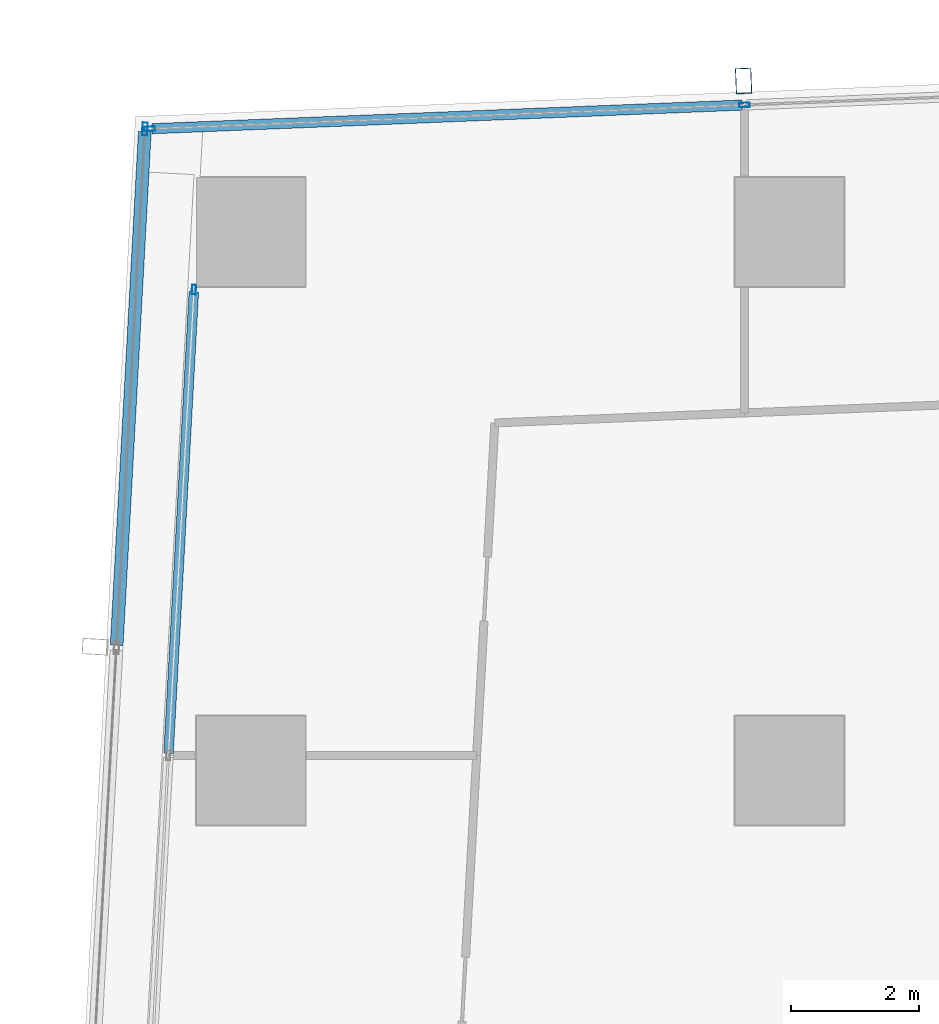
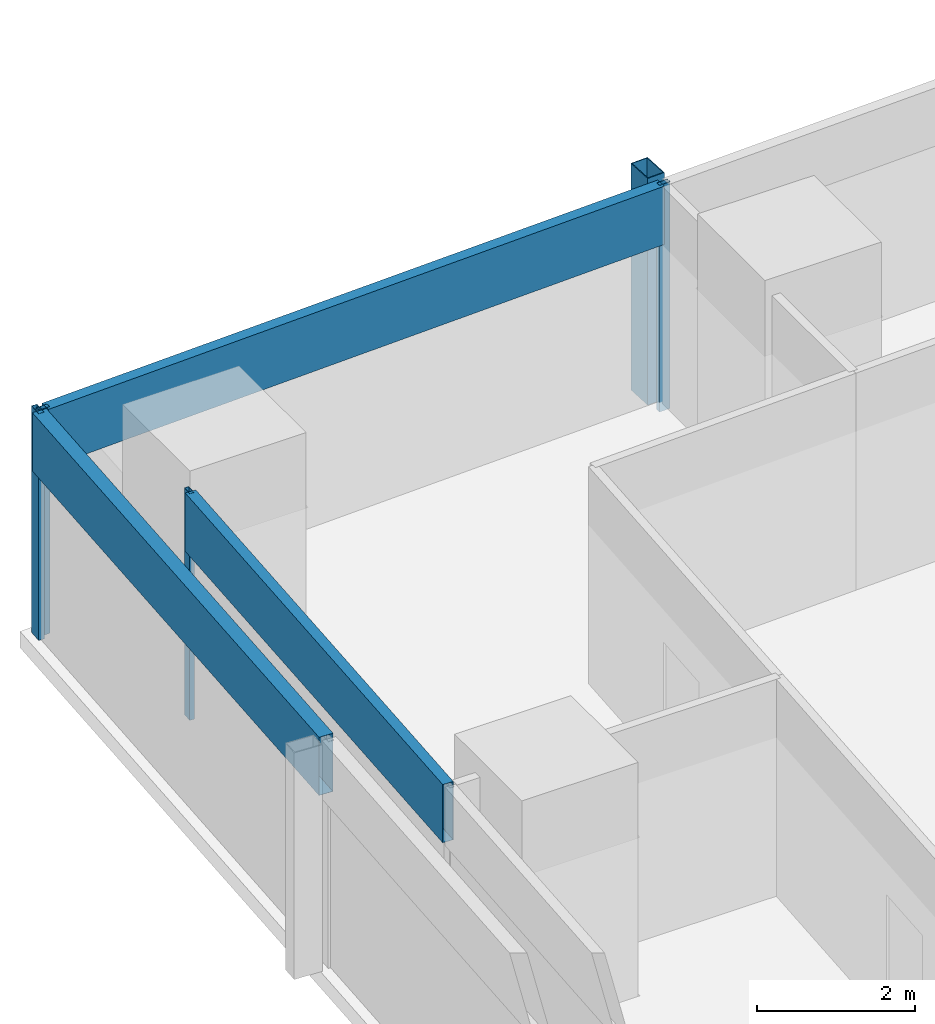
# One storey, part 13 of 38: 8 members, 3 elements without a shape of their own.
"""IFC4 building model written with IfcOpenShell, lengths in metres."""

import ifcopenshell
import ifcopenshell.guid

model = None  # the IFC model being written
_history = None  # IfcOwnerHistory: only IFC2X3 demands one
_inside = {}  # id of a spatial element -> (the spatial element, [elements in it])
_under = {}  # id of a project, library or spatial element -> (it, [spatial elements below it])
_declared = {}  # id of a project -> (the project, [libraries it declares])
_typed = {}  # id of a type object -> (the type object, [elements of that type])
_made_of = {}  # id of a material, layer set ... -> (it, [elements and type objects made of it])


def new_model(schema):
    """Start an empty IFC model of exactly this schema.

    Asked for "IFC4X3", IfcOpenShell would pick the latest addendum, in which some entities
    have other attributes; the version numbers below select the first issue.
    IFC2X3 requires an IfcOwnerHistory on every rooted entity: one is made here for all.
    """
    global model, _history
    if schema == "IFC4X3":
        model = ifcopenshell.file(schema_version=(4, 3, 0, 0))
    else:
        model = ifcopenshell.file(schema=schema)
    _inside.clear()
    _under.clear()
    _declared.clear()
    _typed.clear()
    _made_of.clear()
    _history = None
    if model.schema == "IFC2X3":
        org = make("IfcOrganization", Name="unknown")
        user = make(
            "IfcPersonAndOrganization",
            ThePerson=make("IfcPerson", FamilyName="unknown"),
            TheOrganization=org,
        )
        app = make(
            "IfcApplication",
            ApplicationDeveloper=org,
            Version="unknown",
            ApplicationFullName="unknown",
            ApplicationIdentifier="unknown",
        )
        _history = make(
            "IfcOwnerHistory",
            OwningUser=user,
            OwningApplication=app,
            ChangeAction="ADDED",
            CreationDate=0,
        )
    return model


def make(cls, **values):
    """One entity of the class cls with the attributes given. An attribute that is None is left unset."""
    return model.create_entity(
        cls, **{name: value for name, value in values.items() if value is not None}
    )


def rooted(cls, **values):
    """An entity with a GlobalId (a new one), such as an element, a storey or a relation."""
    return make(cls, GlobalId=ifcopenshell.guid.new(), OwnerHistory=_history, **values)


def si_unit(unit_type, name, prefix=None):
    """IfcSIUnit, for example si_unit("LENGTHUNIT", "METRE", prefix="MILLI")."""
    return make("IfcSIUnit", UnitType=unit_type, Prefix=prefix, Name=name)


def assignment(units):
    """IfcUnitAssignment: the units of a project."""
    return None if units is None else make("IfcUnitAssignment", Units=units)


def point(xyz):
    """IfcCartesianPoint."""
    return None if xyz is None else make("IfcCartesianPoint", Coordinates=xyz)


def direction(xyz):
    """IfcDirection."""
    return None if xyz is None else make("IfcDirection", DirectionRatios=xyz)


def frame(location, z_axis=None, x_axis=None):
    """IfcAxis2Placement3D, a coordinate frame: its origin and axes. An axis left out is left unset."""
    return make(
        "IfcAxis2Placement3D",
        Location=point(location),
        Axis=direction(z_axis),
        RefDirection=direction(x_axis),
    )


def frame_2d(location, x_axis=None):
    """IfcAxis2Placement2D, a coordinate frame in the plane: its origin and x axis."""
    return make(
        "IfcAxis2Placement2D", Location=point(location), RefDirection=direction(x_axis)
    )


def origin():
    """The frame at (0, 0, 0) with its axes left unset."""
    return frame((0.0, 0.0, 0.0))


def origin_2d():
    """The frame at (0, 0) in the plane with its x axis left unset."""
    return frame_2d((0.0, 0.0))


def place(relative_to, where):
    """IfcLocalPlacement: puts the frame where relative to a parent placement (None: the world)."""
    return make(
        "IfcLocalPlacement", PlacementRelTo=relative_to, RelativePlacement=where
    )


def context(
    kind, dimensions, precision=None, world=None, true_north=None, identifier=None
):
    """IfcGeometricRepresentationContext, for example the 3D "Model" context."""
    return make(
        "IfcGeometricRepresentationContext",
        ContextIdentifier=identifier,
        ContextType=kind,
        CoordinateSpaceDimension=dimensions,
        Precision=precision,
        WorldCoordinateSystem=world,
        TrueNorth=true_north,
    )


def subcontext(parent, identifier, kind, view, scale=None):
    """IfcGeometricRepresentationSubContext, for example "Body" below "Model"."""
    return make(
        "IfcGeometricRepresentationSubContext",
        ContextIdentifier=identifier,
        ContextType=kind,
        ParentContext=parent,
        TargetScale=scale,
        TargetView=view,
    )


def project(units=None, contexts=None):
    """IfcProject with its units and contexts."""
    return rooted(
        "IfcProject",
        Name="project",
        RepresentationContexts=contexts,
        UnitsInContext=assignment(units),
    )


def spatial(cls, under=None, at=None, **own):
    """A site, building, storey or space (cls), placed at a placement, below another one or the project."""
    s = rooted(cls, ObjectPlacement=at, **own)
    if under is not None:
        _under.setdefault(under.id(), (under, []))[1].append(s)
    return s


def profile(cls, at=None, kind="AREA", **sizes):
    """A parametric profile (cls). Its sizes go by their IFC names, for example OverallWidth=200.0."""
    return make(cls, ProfileType=kind, Position=at, **sizes)


def hollow_rectangle(**sizes):
    """IfcRectangleHollowProfileDef."""
    return profile("IfcRectangleHollowProfileDef", **sizes)


def extrude(swept, where, along, depth):
    """IfcExtrudedAreaSolid: the profile swept, set in the frame where, extruded along a direction by depth."""
    return make(
        "IfcExtrudedAreaSolid",
        SweptArea=swept,
        Position=where,
        ExtrudedDirection=direction(along),
        Depth=depth,
    )


def shape(context_of_items, identifier, shape_type, items):
    """IfcShapeRepresentation: the items that make up one representation, for example the "Body"."""
    return make(
        "IfcShapeRepresentation",
        ContextOfItems=context_of_items,
        RepresentationIdentifier=identifier,
        RepresentationType=shape_type,
        Items=items,
    )


def material(Name=None, Category=None):
    """IfcMaterial."""
    return make("IfcMaterial", Name=Name, Category=Category)


def material_profile(
    of_material, cross_section, Name=None, Category=None, Priority=None
):
    """IfcMaterialProfile: a cross section and its material."""
    return make(
        "IfcMaterialProfile",
        Name=Name,
        Material=of_material,
        Profile=cross_section,
        Priority=Priority,
        Category=Category,
    )


def profile_set(profiles, Name=None, composite=None):
    """IfcMaterialProfileSet."""
    return make(
        "IfcMaterialProfileSet",
        Name=Name,
        MaterialProfiles=profiles,
        CompositeProfile=composite,
    )


def made_of(thing, what):
    """Note that an element or type object is made of a material, layer set ...; save() writes the relation."""
    if what is not None:
        _made_of.setdefault(what.id(), (what, []))[1].append(thing)
    return thing


def type_object(cls, material=None, **own):
    """A type object (cls), such as IfcWallType, which elements share."""
    return made_of(rooted(cls, **own), material)


def element(
    cls,
    number,
    at=None,
    inside=None,
    cuts=None,
    type_object=None,
    material=None,
    context=None,
    identifier="Body",
    shape_type=None,
    held_by="IfcProductDefinitionShape",
    body=None,
    shapes=None,
    **own,
):
    """One element of the class cls, such as IfcWall. Its Tag is "e" and its number.

    at: its placement. inside: the storey or other place that contains it. cuts: it is an
    opening in that element (IfcRelVoidsElement). A single representation is given by context,
    identifier, shape_type and body (its items); several are given by shapes. held_by: the class
    of the entity that holds the representations. save() writes the other relations.
    """
    e = rooted(cls, Tag="e%d" % number, ObjectPlacement=at, **own)
    if body is not None:
        shapes = [shape(context, identifier, shape_type, body)]
    if shapes is not None:
        e.Representation = make(held_by, Representations=shapes)
    if inside is not None:
        _inside.setdefault(inside.id(), (inside, []))[1].append(e)
    if cuts is not None:
        rooted(
            "IfcRelVoidsElement", RelatingBuildingElement=cuts, RelatedOpeningElement=e
        )
    if type_object is not None:
        _typed.setdefault(type_object.id(), (type_object, []))[1].append(e)
    return made_of(e, material)


def aggregate(whole, parts):
    """IfcRelAggregates: a whole, such as a stair, and the parts it consists of."""
    return rooted("IfcRelAggregates", RelatingObject=whole, RelatedObjects=parts)


def save(model, path):
    """Write the relations noted so far, then the file.

    IfcRelAggregates (storeys below a building ...), IfcRelContainedInSpatialStructure (elements
    in a storey), IfcRelDefinesByType, IfcRelAssociatesMaterial and IfcRelDeclares: one each for
    every whole, place, type object, material and project.
    """
    for whole, parts in _under.values():
        aggregate(whole, parts)
    for where, things in _inside.values():
        rooted(
            "IfcRelContainedInSpatialStructure",
            RelatedElements=things,
            RelatingStructure=where,
        )
    for kind, things in _typed.values():
        rooted("IfcRelDefinesByType", RelatedObjects=things, RelatingType=kind)
    for what, things in _made_of.values():
        rooted("IfcRelAssociatesMaterial", RelatedObjects=things, RelatingMaterial=what)
    for by, libraries in _declared.values():
        rooted("IfcRelDeclares", RelatingContext=by, RelatedDefinitions=libraries)
    model.write(path)


model = new_model("IFC4")

# Units and contexts
model_context = context("Model", 3, precision=1e-05, world=origin(), true_north=direction((0.0, 1.0)))
body_context = subcontext(model_context, "Body", "Model", "MODEL_VIEW")
ifc_project = project(units=[si_unit("LENGTHUNIT", "METRE"), si_unit("AREAUNIT", "SQUARE_METRE"), si_unit("VOLUMEUNIT", "CUBIC_METRE"), si_unit("PLANEANGLEUNIT", "RADIAN"), si_unit("MASSUNIT", "GRAM", prefix="KILO")], contexts=[model_context])

# Site, building, storey
site_placement = place(None, origin())
site = spatial("IfcSite", under=ifc_project, at=site_placement, CompositionType="ELEMENT")
building_placement = place(site_placement, origin())
building = spatial("IfcBuilding", under=site, at=building_placement, Name="Rekha Terrace Tower", CompositionType="ELEMENT")
storey_placement = place(building_placement, frame((0.0, 0.0, 114.050048828125)))
storey = spatial("IfcBuildingStorey", under=building, at=storey_placement, Name="L28", CompositionType="ELEMENT", Elevation=114.050048828125)

# Curtain wall, member
ifc_material_1 = material(Name="Aluminium framing", Category="aluminium")
curtain_wall_type_1 = type_object("IfcCurtainWallType", Name="CW3 north unitised glazing", PredefinedType="USERDEFINED", material=ifc_material_1)
curtain_wall_1_placement = place(storey_placement, origin())
curtain_wall_1 = element("IfcCurtainWall", 1, at=curtain_wall_1_placement, inside=storey, type_object=curtain_wall_type_1, Name="CW3 unitised curtain wall", ObjectType="UNITISED CURTAIN WALL", PredefinedType="USERDEFINED")
ifc_material_2 = material(Name="Steel S355 with fluorocarbon finish", Category="steel")
ifc_material_profile_1 = material_profile(ifc_material_2, hollow_rectangle(XDim=0.25, YDim=0.39990234375, WallThickness=0.012451171875, at=origin_2d()), Name="RHS400x250x12.5")
ifc_profile_set_1 = profile_set([ifc_material_profile_1], Name="Steel S355 with fluorocarbon finish")
member_type_1 = type_object("IfcMemberType", Name="BL1 facade blade RHS 400 x 250", PredefinedType="USERDEFINED", material=ifc_profile_set_1)
member_1_placement = place(storey_placement, frame((16.0869140625, 61.1552734375, 0.0), z_axis=(0.0, 0.0, 1.0), x_axis=(-0.999198382632, -0.040032388711, 0.0)))
member_1 = element("IfcMember", 2, at=member_1_placement, type_object=member_type_1, Name="Facade blade", ObjectType="FACADE BLADE", PredefinedType="USERDEFINED", context=body_context, shape_type="SweptSolid", body=[
    extrude(hollow_rectangle(XDim=0.25, YDim=0.39990234375, WallThickness=0.012451171875, at=origin_2d()), origin(), (0.0, 0.0, 1.0), 3.5),
])

# Curtain wall, members
curtain_wall_type_2 = type_object("IfcCurtainWallType", Name="CW1 double skin inner glazing", PredefinedType="USERDEFINED", material=ifc_material_1)
curtain_wall_2_placement = place(storey_placement, origin())
curtain_wall_2 = element("IfcCurtainWall", 3, at=curtain_wall_2_placement, inside=storey, type_object=curtain_wall_type_2, Name="CW1 double skin inner glazing", ObjectType="DOUBLE SKIN INNER GLAZING", PredefinedType="USERDEFINED")
ifc_material_3 = material(Name="Aluminium mullion section", Category="aluminium")
ifc_material_profile_2 = material_profile(ifc_material_3, hollow_rectangle(XDim=0.06494140625, YDim=0.14990234375, WallThickness=0.00390625, at=origin_2d()), Name="AL RHS 65x150")
ifc_profile_set_2 = profile_set([ifc_material_profile_2], Name="Aluminium mullion section")
member_type_2 = type_object("IfcMemberType", Name="CW1 mullion RHS 65 x 150", PredefinedType="MULLION", material=ifc_profile_set_2)
member_2_placement = place(storey_placement, frame((7.513427734375, 57.8994140625, 0.0), z_axis=(0.0, 0.0, 1.0), x_axis=(0.998500513181, -0.05474235269, 0.0)))
member_2 = element("IfcMember", 4, at=member_2_placement, type_object=member_type_2, Name="CW1 mullion 1", PredefinedType="MULLION", context=body_context, shape_type="SweptSolid", body=[
    extrude(hollow_rectangle(XDim=0.06494140625, YDim=0.14990234375, WallThickness=0.00390625, at=origin_2d()), origin(), (0.0, 0.0, 1.0), 3.5),
])
ifc_material_4 = material(Name="Insulated aluminium spandrel box", Category="aluminium")
ifc_material_profile_3 = material_profile(ifc_material_4, hollow_rectangle(XDim=0.14990234375, YDim=0.89990234375, WallThickness=0.0029296875, at=origin_2d()), Name="AL SPANDREL BOX 150x900")
ifc_profile_set_3 = profile_set([ifc_material_profile_3], Name="Insulated aluminium spandrel box")
member_type_3 = type_object("IfcMemberType", Name="CW1 spandrel transom 150 x 900", PredefinedType="USERDEFINED", material=ifc_profile_set_3)
member_3_placement = place(storey_placement, frame((7.51171875, 57.866943359375, 3.050048828125), z_axis=(-0.054721696308, -0.998501645443, 0.0), x_axis=(0.998501645443, -0.054721696308, 0.0)))
member_3 = element("IfcMember", 5, at=member_3_placement, type_object=member_type_3, Name="CW1 spandrel transom 1", ObjectType="TRANSOM", PredefinedType="USERDEFINED", context=body_context, shape_type="SweptSolid", body=[
    extrude(hollow_rectangle(XDim=0.14990234375, YDim=0.89990234375, WallThickness=0.0029296875, at=origin_2d()), origin(), (0.0, 0.0, 1.0), 7.209716796875),
])
aggregate(curtain_wall_2, [member_2, member_3])

curtain_wall_type_3 = type_object("IfcCurtainWallType", Name="CW2 double skin outer glazing", PredefinedType="USERDEFINED", material=ifc_material_1)
curtain_wall_3_placement = place(storey_placement, origin())
curtain_wall_3 = element("IfcCurtainWall", 6, at=curtain_wall_3_placement, inside=storey, type_object=curtain_wall_type_3, Name="CW2 double skin outer glazing", ObjectType="DOUBLE SKIN OUTER GLAZING", PredefinedType="USERDEFINED")
ifc_material_profile_4 = material_profile(ifc_material_3, hollow_rectangle(XDim=0.080078125, YDim=0.199951171875, WallThickness=0.00390625, at=origin_2d()), Name="AL RHS 80x200")
ifc_profile_set_4 = profile_set([ifc_material_profile_4], Name="Aluminium mullion section")
member_type_4 = type_object("IfcMemberType", Name="CW2 mullion RHS 80 x 200", PredefinedType="MULLION", material=ifc_profile_set_4)
member_4_placement = place(storey_placement, frame((6.74951171875, 60.406005859375, 0.0), z_axis=(0.0, 0.0, 1.0), x_axis=(0.99850051318, -0.054742352707, 0.0)))
member_4 = element("IfcMember", 7, at=member_4_placement, type_object=member_type_4, Name="CW2 mullion 1", PredefinedType="MULLION", context=body_context, shape_type="SweptSolid", body=[
    extrude(hollow_rectangle(XDim=0.080078125, YDim=0.199951171875, WallThickness=0.00390625, at=origin_2d()), origin(), (0.0, 0.0, 1.0), 3.5),
])
ifc_material_profile_5 = material_profile(ifc_material_4, hollow_rectangle(XDim=0.199951171875, YDim=0.89990234375, WallThickness=0.0029296875, at=origin_2d()), Name="AL SPANDREL BOX 200x900")
ifc_profile_set_5 = profile_set([ifc_material_profile_5], Name="Insulated aluminium spandrel box")
member_type_5 = type_object("IfcMemberType", Name="CW2 spandrel transom 200 x 900", PredefinedType="USERDEFINED", material=ifc_profile_set_5)
member_5_placement = place(storey_placement, frame((6.747314453125, 60.365966796875, 3.050048828125), z_axis=(-0.054720339778, -0.998501719785, 0.0), x_axis=(0.998501719785, -0.054720339778, 0.0)))
member_5 = element("IfcMember", 8, at=member_5_placement, type_object=member_type_5, Name="CW2 spandrel transom 1", ObjectType="TRANSOM", PredefinedType="USERDEFINED", context=body_context, shape_type="SweptSolid", body=[
    extrude(hollow_rectangle(XDim=0.199951171875, YDim=0.89990234375, WallThickness=0.0029296875, at=origin_2d()), origin(), (0.0, 0.0, 1.0), 8.0263671875),
])
aggregate(curtain_wall_3, [member_4, member_5])

# Member
ifc_material_profile_6 = material_profile(ifc_material_3, hollow_rectangle(XDim=0.070068359375, YDim=0.159912109375, WallThickness=0.00390625, at=origin_2d()), Name="AL RHS 70x160")
ifc_profile_set_6 = profile_set([ifc_material_profile_6], Name="Aluminium mullion section")
member_type_6 = type_object("IfcMemberType", Name="CW3 mullion RHS 70 x 160", PredefinedType="MULLION", material=ifc_profile_set_6)
member_6_placement = place(storey_placement, frame((16.101806640625, 60.780517578125, 0.0), z_axis=(0.0, 0.0, 1.0), x_axis=(0.040031987119, -0.999198398721, 0.0)))
member_6 = element("IfcMember", 9, at=member_6_placement, type_object=member_type_6, Name="CW3 mullion 4", PredefinedType="MULLION", context=body_context, shape_type="SweptSolid", body=[
    extrude(hollow_rectangle(XDim=0.070068359375, YDim=0.159912109375, WallThickness=0.00390625, at=origin_2d()), origin(), (0.0, 0.0, 1.0), 3.5),
])

member_7_placement = place(storey_placement, frame((6.82470703125, 60.408935546875, 0.0), z_axis=(0.0, 0.0, 1.0), x_axis=(0.040031987119, -0.999198398721, 0.0)))
member_7 = element("IfcMember", 10, at=member_7_placement, type_object=member_type_6, Name="CW3 mullion 5", PredefinedType="MULLION", context=body_context, shape_type="SweptSolid", body=[
    extrude(hollow_rectangle(XDim=0.070068359375, YDim=0.159912109375, WallThickness=0.00390625, at=origin_2d()), origin(), (0.0, 0.0, 1.0), 3.5),
])

ifc_material_profile_7 = material_profile(ifc_material_4, hollow_rectangle(XDim=0.159912109375, YDim=0.89990234375, WallThickness=0.0029296875, at=origin_2d()), Name="AL SPANDREL BOX 160x900")
ifc_profile_set_7 = profile_set([ifc_material_profile_7], Name="Insulated aluminium spandrel box")
member_type_7 = type_object("IfcMemberType", Name="CW3 spandrel transom 160 x 900", PredefinedType="USERDEFINED", material=ifc_profile_set_7)
member_8_placement = place(storey_placement, frame((16.06689453125, 60.779052734375, 3.050048828125), z_axis=(-0.999198332483, -0.040033640399, 0.0), x_axis=(0.040033640399, -0.999198332483, 0.0)))
member_8 = element("IfcMember", 11, at=member_8_placement, type_object=member_type_7, Name="CW3 spandrel transom 4", ObjectType="TRANSOM", PredefinedType="USERDEFINED", context=body_context, shape_type="SweptSolid", body=[
    extrude(hollow_rectangle(XDim=0.159912109375, YDim=0.89990234375, WallThickness=0.0029296875, at=origin_2d()), origin(), (0.0, 0.0, 1.0), 9.214599609375),
])

aggregate(curtain_wall_1, [member_6, member_7, member_8, member_1])

save(model, "model.ifc")
